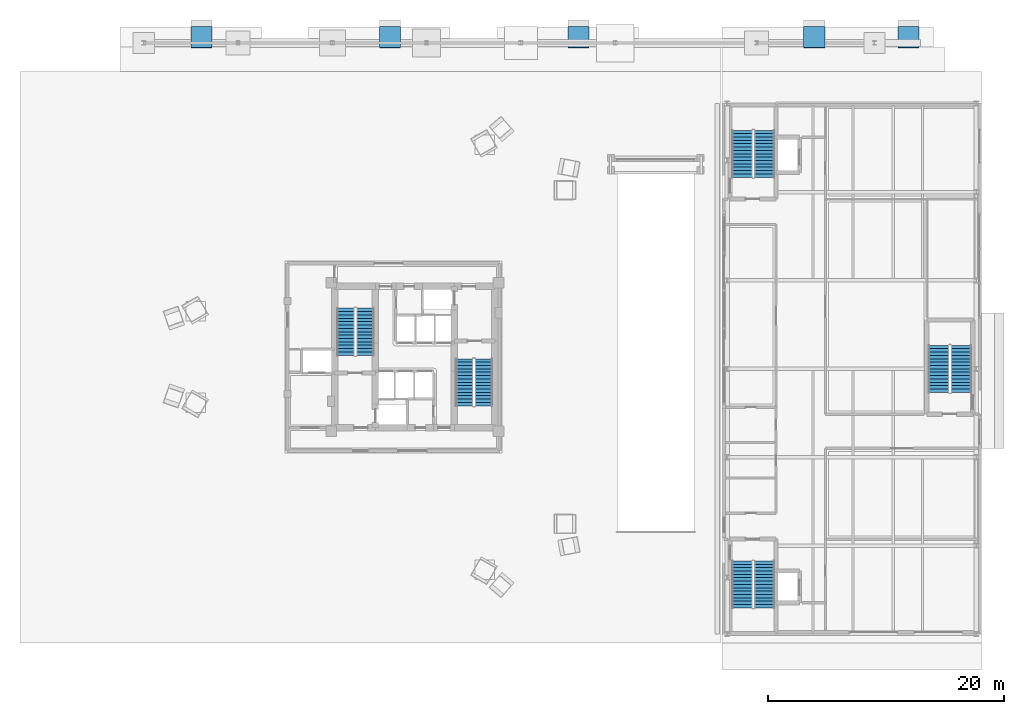
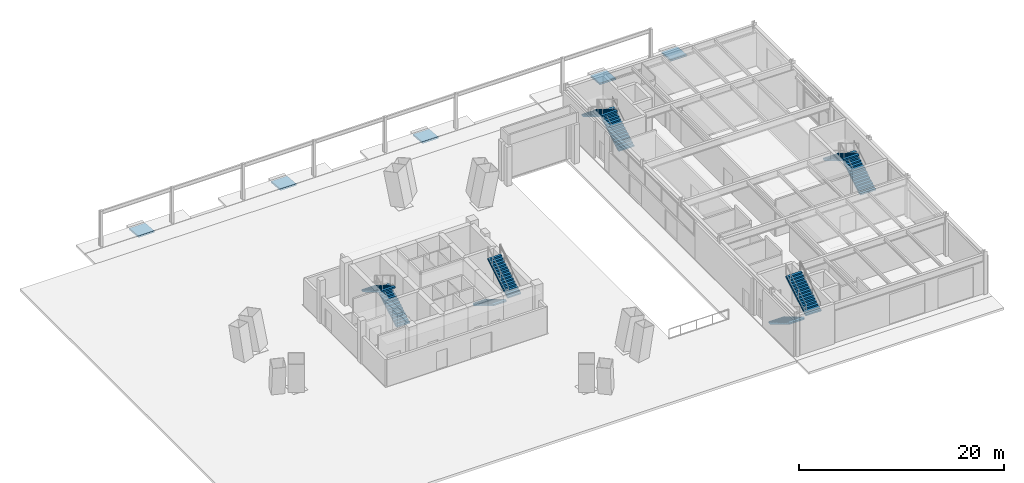
# One storey, part 17 of 21: 10 stair flights, 5 ramp flights, 10 elements without a shape of their own.
"""IFC4 building model written with IfcOpenShell, lengths in metres."""

from ifc_helpers import new_model, si_unit, direction, frame, origin, place, context, subcontext, project, spatial, polyline, outline, extrude, material, layer, layer_set, type_object, element, aggregate, save


model = new_model("IFC4")

# Units and contexts
model_context = context("Model", 3, precision=1e-05, world=origin(), true_north=direction((0.0, 1.0)))
body_context = subcontext(model_context, "Body", "Model", "MODEL_VIEW")
ifc_project = project(units=[si_unit("LENGTHUNIT", "METRE"), si_unit("AREAUNIT", "SQUARE_METRE"), si_unit("VOLUMEUNIT", "CUBIC_METRE"), si_unit("PLANEANGLEUNIT", "RADIAN"), si_unit("MASSUNIT", "GRAM", prefix="KILO")], contexts=[model_context])

# Site, building, storey
site_placement = place(None, origin())
site = spatial("IfcSite", under=ifc_project, at=site_placement, CompositionType="ELEMENT")
building_placement = place(site_placement, origin())
building = spatial("IfcBuilding", under=site, at=building_placement, Name="Mersakhor Tower and Convention Hall", CompositionType="ELEMENT")
storey_placement = place(building_placement, origin())
storey = spatial("IfcBuildingStorey", under=building, at=storey_placement, Name="L00", CompositionType="ELEMENT", Elevation=0.0)

# Stair, stair flights
ifc_material_1 = material(Name="Concrete C45/55", Category="concrete")
stair_type_1 = type_object("IfcStairType", Name="ST-CNV-30R", PredefinedType="HALF_TURN_STAIR", material=ifc_material_1)
stair_1_placement = place(storey_placement, origin())
stair_1 = element("IfcStair", 1, at=stair_1_placement, inside=storey, type_object=stair_type_1, Name="L00 Convention Hall Exit Stair CH-ST1", PredefinedType="HALF_TURN_STAIR")
ifc_material_2 = material(Name="Concrete C45/55", Category="concrete")
stair_flight_type_1 = type_object("IfcStairFlightType", Name="SFL-CNV-30R", PredefinedType="STRAIGHT", material=ifc_material_2)
stair_flight_1_placement = place(storey_placement, frame((56.77490234375, 9.449951171875, 0.0), z_axis=(0.0, 0.0, 1.0), x_axis=(0.0, -1.0, 0.0)))
stair_flight_1 = element("IfcStairFlight", 2, at=stair_flight_1_placement, type_object=stair_flight_type_1, Name="CH-ST1 flight 1", NumberOfRisers=15, NumberOfTreads=14, PredefinedType="STRAIGHT", RiserHeight=0.17, TreadLength=0.285, context=body_context, shape_type="SweptSolid", body=[
    extrude(outline(polyline([(0.0, 0.0), (0.0, 0.169921875), (0.284912109375, 0.169921875), (0.284912109375, 0.340087890625), (0.570068359375, 0.340087890625), (0.570068359375, 0.510009765625), (0.85498046875, 0.510009765625), (0.85498046875, 0.679931640625), (1.139892578125, 0.679931640625), (1.139892578125, 0.85009765625), (1.425048828125, 0.85009765625), (1.425048828125, 1.02001953125), (1.7099609375, 1.02001953125), (1.7099609375, 1.18994140625), (1.9951171875, 1.18994140625), (1.9951171875, 1.360107421875), (2.280029296875, 1.360107421875), (2.280029296875, 1.530029296875), (2.56494140625, 1.530029296875), (2.56494140625, 1.699951171875), (2.85009765625, 1.699951171875), (2.85009765625, 1.8701171875), (3.135009765625, 1.8701171875), (3.135009765625, 2.0400390625), (3.419921875, 2.0400390625), (3.419921875, 2.2099609375), (3.705078125, 2.2099609375), (3.705078125, 2.3798828125), (3.989990234375, 2.3798828125), (3.989990234375, 2.550048828125), (3.989990234375, 2.20556640625), (0.292724609375, 0.0), (0.0, 0.0)])), frame((0.0, 0.875, 0.0), z_axis=(0.0, -1.0, 0.0), x_axis=(1.0, 0.0, 0.0)), (0.0, 0.0, 1.0), 1.75),
])
stair_flight_2_placement = place(storey_placement, frame((58.675048828125, 5.4599609375, 2.550048828125), z_axis=(0.0, 0.0, 1.0), x_axis=(0.0, 1.0, 0.0)))
stair_flight_2 = element("IfcStairFlight", 3, at=stair_flight_2_placement, type_object=stair_flight_type_1, Name="CH-ST1 flight 2", NumberOfRisers=15, NumberOfTreads=14, PredefinedType="STRAIGHT", RiserHeight=0.17, TreadLength=0.285, context=body_context, shape_type="SweptSolid", body=[
    extrude(outline(polyline([(0.0, 0.0), (0.0, 0.169921875), (0.284912109375, 0.169921875), (0.284912109375, 0.340087890625), (0.570068359375, 0.340087890625), (0.570068359375, 0.510009765625), (0.85498046875, 0.510009765625), (0.85498046875, 0.679931640625), (1.139892578125, 0.679931640625), (1.139892578125, 0.85009765625), (1.425048828125, 0.85009765625), (1.425048828125, 1.02001953125), (1.7099609375, 1.02001953125), (1.7099609375, 1.18994140625), (1.9951171875, 1.18994140625), (1.9951171875, 1.360107421875), (2.280029296875, 1.360107421875), (2.280029296875, 1.530029296875), (2.56494140625, 1.530029296875), (2.56494140625, 1.699951171875), (2.85009765625, 1.699951171875), (2.85009765625, 1.8701171875), (3.135009765625, 1.8701171875), (3.135009765625, 2.0400390625), (3.419921875, 2.0400390625), (3.419921875, 2.2099609375), (3.705078125, 2.2099609375), (3.705078125, 2.3798828125), (3.989990234375, 2.3798828125), (3.989990234375, 2.550048828125), (3.989990234375, 2.20556640625), (0.292724609375, 0.0), (0.0, 0.0)])), frame((0.0, 0.875, 0.0), z_axis=(0.0, -1.0, 0.0), x_axis=(1.0, 0.0, 0.0)), (0.0, 0.0, 1.0), 1.75),
])
aggregate(stair_1, [stair_flight_1, stair_flight_2])

stair_2_placement = place(storey_placement, origin())
stair_2 = element("IfcStair", 4, at=stair_2_placement, inside=storey, type_object=stair_type_1, Name="L00 Convention Hall Exit Stair CH-ST2", PredefinedType="HALF_TURN_STAIR")
stair_flight_3_placement = place(storey_placement, frame((58.675048828125, 42.0, 0.0), z_axis=(0.0, 0.0, 1.0), x_axis=(0.0, 1.0, 0.0)))
stair_flight_3 = element("IfcStairFlight", 5, at=stair_flight_3_placement, type_object=stair_flight_type_1, Name="CH-ST2 flight 1", NumberOfRisers=15, NumberOfTreads=14, PredefinedType="STRAIGHT", RiserHeight=0.17, TreadLength=0.285, context=body_context, shape_type="SweptSolid", body=[
    extrude(outline(polyline([(0.0, 0.0), (0.0, 0.169921875), (0.284912109375, 0.169921875), (0.284912109375, 0.340087890625), (0.570068359375, 0.340087890625), (0.570068359375, 0.510009765625), (0.85498046875, 0.510009765625), (0.85498046875, 0.679931640625), (1.139892578125, 0.679931640625), (1.139892578125, 0.85009765625), (1.425048828125, 0.85009765625), (1.425048828125, 1.02001953125), (1.7099609375, 1.02001953125), (1.7099609375, 1.18994140625), (1.9951171875, 1.18994140625), (1.9951171875, 1.360107421875), (2.280029296875, 1.360107421875), (2.280029296875, 1.530029296875), (2.56494140625, 1.530029296875), (2.56494140625, 1.699951171875), (2.85009765625, 1.699951171875), (2.85009765625, 1.8701171875), (3.135009765625, 1.8701171875), (3.135009765625, 2.0400390625), (3.419921875, 2.0400390625), (3.419921875, 2.2099609375), (3.705078125, 2.2099609375), (3.705078125, 2.3798828125), (3.989990234375, 2.3798828125), (3.989990234375, 2.550048828125), (3.989990234375, 2.20556640625), (0.292724609375, 0.0), (0.0, 0.0)])), frame((0.0, 0.875, 0.0), z_axis=(0.0, -1.0, 0.0), x_axis=(1.0, 0.0, 0.0)), (0.0, 0.0, 1.0), 1.75),
])
stair_flight_4_placement = place(storey_placement, frame((56.77490234375, 45.989990234375, 2.550048828125), z_axis=(0.0, 0.0, 1.0), x_axis=(0.0, -1.0, 0.0)))
stair_flight_4 = element("IfcStairFlight", 6, at=stair_flight_4_placement, type_object=stair_flight_type_1, Name="CH-ST2 flight 2", NumberOfRisers=15, NumberOfTreads=14, PredefinedType="STRAIGHT", RiserHeight=0.17, TreadLength=0.285, context=body_context, shape_type="SweptSolid", body=[
    extrude(outline(polyline([(0.0, 0.0), (0.0, 0.169921875), (0.284912109375, 0.169921875), (0.284912109375, 0.340087890625), (0.570068359375, 0.340087890625), (0.570068359375, 0.510009765625), (0.85498046875, 0.510009765625), (0.85498046875, 0.679931640625), (1.139892578125, 0.679931640625), (1.139892578125, 0.85009765625), (1.425048828125, 0.85009765625), (1.425048828125, 1.02001953125), (1.7099609375, 1.02001953125), (1.7099609375, 1.18994140625), (1.9951171875, 1.18994140625), (1.9951171875, 1.360107421875), (2.280029296875, 1.360107421875), (2.280029296875, 1.530029296875), (2.56494140625, 1.530029296875), (2.56494140625, 1.699951171875), (2.85009765625, 1.699951171875), (2.85009765625, 1.8701171875), (3.135009765625, 1.8701171875), (3.135009765625, 2.0400390625), (3.419921875, 2.0400390625), (3.419921875, 2.2099609375), (3.705078125, 2.2099609375), (3.705078125, 2.3798828125), (3.989990234375, 2.3798828125), (3.989990234375, 2.550048828125), (3.989990234375, 2.20556640625), (0.292724609375, 0.0), (0.0, 0.0)])), frame((0.0, 0.875, 0.0), z_axis=(0.0, -1.0, 0.0), x_axis=(1.0, 0.0, 0.0)), (0.0, 0.0, 1.0), 1.75),
])
aggregate(stair_2, [stair_flight_3, stair_flight_4])

stair_3_placement = place(storey_placement, origin())
stair_3 = element("IfcStair", 7, at=stair_3_placement, inside=storey, type_object=stair_type_1, Name="L00 Convention Hall Exit Stair CH-ST3", PredefinedType="HALF_TURN_STAIR")
stair_flight_5_placement = place(storey_placement, frame((75.375, 23.75, 0.0), z_axis=(0.0, 0.0, 1.0), x_axis=(0.0, 1.0, 0.0)))
stair_flight_5 = element("IfcStairFlight", 8, at=stair_flight_5_placement, type_object=stair_flight_type_1, Name="CH-ST3 flight 1", NumberOfRisers=15, NumberOfTreads=14, PredefinedType="STRAIGHT", RiserHeight=0.17, TreadLength=0.285, context=body_context, shape_type="SweptSolid", body=[
    extrude(outline(polyline([(0.0, 0.0), (0.0, 0.169921875), (0.284912109375, 0.169921875), (0.284912109375, 0.340087890625), (0.570068359375, 0.340087890625), (0.570068359375, 0.510009765625), (0.85498046875, 0.510009765625), (0.85498046875, 0.679931640625), (1.139892578125, 0.679931640625), (1.139892578125, 0.85009765625), (1.425048828125, 0.85009765625), (1.425048828125, 1.02001953125), (1.7099609375, 1.02001953125), (1.7099609375, 1.18994140625), (1.9951171875, 1.18994140625), (1.9951171875, 1.360107421875), (2.280029296875, 1.360107421875), (2.280029296875, 1.530029296875), (2.56494140625, 1.530029296875), (2.56494140625, 1.699951171875), (2.85009765625, 1.699951171875), (2.85009765625, 1.8701171875), (3.135009765625, 1.8701171875), (3.135009765625, 2.0400390625), (3.419921875, 2.0400390625), (3.419921875, 2.2099609375), (3.705078125, 2.2099609375), (3.705078125, 2.3798828125), (3.989990234375, 2.3798828125), (3.989990234375, 2.550048828125), (3.989990234375, 2.20556640625), (0.292724609375, 0.0), (0.0, 0.0)])), frame((0.0, 0.875, 0.0), z_axis=(0.0, -1.0, 0.0), x_axis=(1.0, 0.0, 0.0)), (0.0, 0.0, 1.0), 1.75),
])
stair_flight_6_placement = place(storey_placement, frame((73.47509765625, 27.739990234375, 2.550048828125), z_axis=(0.0, 0.0, 1.0), x_axis=(0.0, -1.0, 0.0)))
stair_flight_6 = element("IfcStairFlight", 9, at=stair_flight_6_placement, type_object=stair_flight_type_1, Name="CH-ST3 flight 2", NumberOfRisers=15, NumberOfTreads=14, PredefinedType="STRAIGHT", RiserHeight=0.17, TreadLength=0.285, context=body_context, shape_type="SweptSolid", body=[
    extrude(outline(polyline([(0.0, 0.0), (0.0, 0.169921875), (0.284912109375, 0.169921875), (0.284912109375, 0.340087890625), (0.570068359375, 0.340087890625), (0.570068359375, 0.510009765625), (0.85498046875, 0.510009765625), (0.85498046875, 0.679931640625), (1.139892578125, 0.679931640625), (1.139892578125, 0.85009765625), (1.425048828125, 0.85009765625), (1.425048828125, 1.02001953125), (1.7099609375, 1.02001953125), (1.7099609375, 1.18994140625), (1.9951171875, 1.18994140625), (1.9951171875, 1.360107421875), (2.280029296875, 1.360107421875), (2.280029296875, 1.530029296875), (2.56494140625, 1.530029296875), (2.56494140625, 1.699951171875), (2.85009765625, 1.699951171875), (2.85009765625, 1.8701171875), (3.135009765625, 1.8701171875), (3.135009765625, 2.0400390625), (3.419921875, 2.0400390625), (3.419921875, 2.2099609375), (3.705078125, 2.2099609375), (3.705078125, 2.3798828125), (3.989990234375, 2.3798828125), (3.989990234375, 2.550048828125), (3.989990234375, 2.20556640625), (0.292724609375, 0.0), (0.0, 0.0)])), frame((0.0, 0.875, 0.0), z_axis=(0.0, -1.0, 0.0), x_axis=(1.0, 0.0, 0.0)), (0.0, 0.0, 1.0), 1.75),
])
aggregate(stair_3, [stair_flight_5, stair_flight_6])

ifc_material_3 = material(Name="Concrete C45/55", Category="concrete")
stair_type_2 = type_object("IfcStairType", Name="ST-TWR-30R", PredefinedType="HALF_TURN_STAIR", material=ifc_material_3)
stair_4_placement = place(storey_placement, origin())
stair_4 = element("IfcStair", 10, at=stair_4_placement, inside=storey, type_object=stair_type_2, Name="L00 Tower Protected Exit Stair ST-1", PredefinedType="HALF_TURN_STAIR")
ifc_material_4 = material(Name="Concrete C45/55", Category="concrete")
stair_flight_type_2 = type_object("IfcStairFlightType", Name="SFL-TWR-30R", PredefinedType="STRAIGHT", material=ifc_material_4)
stair_flight_7_placement = place(storey_placement, frame((24.800048828125, 26.89990234375, 0.0), z_axis=(0.0, 0.0, 1.0), x_axis=(0.0, 1.0, 0.0)))
stair_flight_7 = element("IfcStairFlight", 11, at=stair_flight_7_placement, type_object=stair_flight_type_2, Name="ST-1 flight 1", NumberOfRisers=15, NumberOfTreads=14, PredefinedType="STRAIGHT", RiserHeight=0.17, TreadLength=0.285, context=body_context, shape_type="SweptSolid", body=[
    extrude(outline(polyline([(0.0, 0.0), (0.0, 0.169921875), (0.284912109375, 0.169921875), (0.284912109375, 0.340087890625), (0.570068359375, 0.340087890625), (0.570068359375, 0.510009765625), (0.85498046875, 0.510009765625), (0.85498046875, 0.679931640625), (1.139892578125, 0.679931640625), (1.139892578125, 0.85009765625), (1.425048828125, 0.85009765625), (1.425048828125, 1.02001953125), (1.7099609375, 1.02001953125), (1.7099609375, 1.18994140625), (1.9951171875, 1.18994140625), (1.9951171875, 1.360107421875), (2.280029296875, 1.360107421875), (2.280029296875, 1.530029296875), (2.56494140625, 1.530029296875), (2.56494140625, 1.699951171875), (2.85009765625, 1.699951171875), (2.85009765625, 1.8701171875), (3.135009765625, 1.8701171875), (3.135009765625, 2.0400390625), (3.419921875, 2.0400390625), (3.419921875, 2.2099609375), (3.705078125, 2.2099609375), (3.705078125, 2.3798828125), (3.989990234375, 2.3798828125), (3.989990234375, 2.550048828125), (3.989990234375, 2.20556640625), (0.292724609375, 0.0), (0.0, 0.0)])), frame((0.0, 0.75, 0.0), z_axis=(0.0, -1.0, 0.0), x_axis=(1.0, 0.0, 0.0)), (0.0, 0.0, 1.0), 1.5),
])
stair_flight_8_placement = place(storey_placement, frame((23.14990234375, 30.889892578125, 2.550048828125), z_axis=(0.0, 0.0, 1.0), x_axis=(0.0, -1.0, 0.0)))
stair_flight_8 = element("IfcStairFlight", 12, at=stair_flight_8_placement, type_object=stair_flight_type_2, Name="ST-1 flight 2", NumberOfRisers=15, NumberOfTreads=14, PredefinedType="STRAIGHT", RiserHeight=0.17, TreadLength=0.285, context=body_context, shape_type="SweptSolid", body=[
    extrude(outline(polyline([(0.0, 0.0), (0.0, 0.169921875), (0.284912109375, 0.169921875), (0.284912109375, 0.340087890625), (0.570068359375, 0.340087890625), (0.570068359375, 0.510009765625), (0.85498046875, 0.510009765625), (0.85498046875, 0.679931640625), (1.139892578125, 0.679931640625), (1.139892578125, 0.85009765625), (1.425048828125, 0.85009765625), (1.425048828125, 1.02001953125), (1.7099609375, 1.02001953125), (1.7099609375, 1.18994140625), (1.9951171875, 1.18994140625), (1.9951171875, 1.360107421875), (2.280029296875, 1.360107421875), (2.280029296875, 1.530029296875), (2.56494140625, 1.530029296875), (2.56494140625, 1.699951171875), (2.85009765625, 1.699951171875), (2.85009765625, 1.8701171875), (3.135009765625, 1.8701171875), (3.135009765625, 2.0400390625), (3.419921875, 2.0400390625), (3.419921875, 2.2099609375), (3.705078125, 2.2099609375), (3.705078125, 2.3798828125), (3.989990234375, 2.3798828125), (3.989990234375, 2.550048828125), (3.989990234375, 2.20556640625), (0.292724609375, 0.0), (0.0, 0.0)])), frame((0.0, 0.75, 0.0), z_axis=(0.0, -1.0, 0.0), x_axis=(1.0, 0.0, 0.0)), (0.0, 0.0, 1.0), 1.5),
])
aggregate(stair_4, [stair_flight_7, stair_flight_8])

stair_5_placement = place(storey_placement, origin())
stair_5 = element("IfcStair", 13, at=stair_5_placement, inside=storey, type_object=stair_type_2, Name="L00 Tower Protected Exit Stair ST-2", PredefinedType="HALF_TURN_STAIR")
stair_flight_9_placement = place(storey_placement, frame((33.199951171875, 26.60009765625, 0.0), z_axis=(0.0, 0.0, 1.0), x_axis=(0.0, -1.0, 0.0)))
stair_flight_9 = element("IfcStairFlight", 14, at=stair_flight_9_placement, type_object=stair_flight_type_2, Name="ST-2 flight 1", NumberOfRisers=15, NumberOfTreads=14, PredefinedType="STRAIGHT", RiserHeight=0.17, TreadLength=0.285, context=body_context, shape_type="SweptSolid", body=[
    extrude(outline(polyline([(0.0, 0.0), (0.0, 0.169921875), (0.284912109375, 0.169921875), (0.284912109375, 0.340087890625), (0.570068359375, 0.340087890625), (0.570068359375, 0.510009765625), (0.85498046875, 0.510009765625), (0.85498046875, 0.679931640625), (1.139892578125, 0.679931640625), (1.139892578125, 0.85009765625), (1.425048828125, 0.85009765625), (1.425048828125, 1.02001953125), (1.7099609375, 1.02001953125), (1.7099609375, 1.18994140625), (1.9951171875, 1.18994140625), (1.9951171875, 1.360107421875), (2.280029296875, 1.360107421875), (2.280029296875, 1.530029296875), (2.56494140625, 1.530029296875), (2.56494140625, 1.699951171875), (2.85009765625, 1.699951171875), (2.85009765625, 1.8701171875), (3.135009765625, 1.8701171875), (3.135009765625, 2.0400390625), (3.419921875, 2.0400390625), (3.419921875, 2.2099609375), (3.705078125, 2.2099609375), (3.705078125, 2.3798828125), (3.989990234375, 2.3798828125), (3.989990234375, 2.550048828125), (3.989990234375, 2.20556640625), (0.292724609375, 0.0), (0.0, 0.0)])), frame((0.0, 0.75, 0.0), z_axis=(0.0, -1.0, 0.0), x_axis=(1.0, 0.0, 0.0)), (0.0, 0.0, 1.0), 1.5),
])
stair_flight_10_placement = place(storey_placement, frame((34.85009765625, 22.610107421875, 2.550048828125), z_axis=(0.0, 0.0, 1.0), x_axis=(0.0, 1.0, 0.0)))
stair_flight_10 = element("IfcStairFlight", 15, at=stair_flight_10_placement, type_object=stair_flight_type_2, Name="ST-2 flight 2", NumberOfRisers=15, NumberOfTreads=14, PredefinedType="STRAIGHT", RiserHeight=0.17, TreadLength=0.285, context=body_context, shape_type="SweptSolid", body=[
    extrude(outline(polyline([(0.0, 0.0), (0.0, 0.169921875), (0.284912109375, 0.169921875), (0.284912109375, 0.340087890625), (0.570068359375, 0.340087890625), (0.570068359375, 0.510009765625), (0.85498046875, 0.510009765625), (0.85498046875, 0.679931640625), (1.139892578125, 0.679931640625), (1.139892578125, 0.85009765625), (1.425048828125, 0.85009765625), (1.425048828125, 1.02001953125), (1.7099609375, 1.02001953125), (1.7099609375, 1.18994140625), (1.9951171875, 1.18994140625), (1.9951171875, 1.360107421875), (2.280029296875, 1.360107421875), (2.280029296875, 1.530029296875), (2.56494140625, 1.530029296875), (2.56494140625, 1.699951171875), (2.85009765625, 1.699951171875), (2.85009765625, 1.8701171875), (3.135009765625, 1.8701171875), (3.135009765625, 2.0400390625), (3.419921875, 2.0400390625), (3.419921875, 2.2099609375), (3.705078125, 2.2099609375), (3.705078125, 2.3798828125), (3.989990234375, 2.3798828125), (3.989990234375, 2.550048828125), (3.989990234375, 2.20556640625), (0.292724609375, 0.0), (0.0, 0.0)])), frame((0.0, 0.75, 0.0), z_axis=(0.0, -1.0, 0.0), x_axis=(1.0, 0.0, 0.0)), (0.0, 0.0, 1.0), 1.5),
])
aggregate(stair_5, [stair_flight_9, stair_flight_10])

# Ramp, ramp flight
ifc_material_5 = material(Name="Concrete C40/50", Category="concrete")
ramp_type = type_object("IfcRampType", Name="RMP-PED-1800", PredefinedType="STRAIGHT_RUN_RAMP", material=ifc_material_5)
ramp_1_placement = place(storey_placement, origin())
ramp_1 = element("IfcRamp", 16, at=ramp_1_placement, inside=storey, type_object=ramp_type, Name="Accessible Plaza Entrance Ramp PR-1", PredefinedType="STRAIGHT_RUN_RAMP")
ifc_material_6 = material(Name="Concrete C40/50", Category="concrete")
ifc_layer = layer(ifc_material_6, 0.199951171875)
ifc_layer_set = layer_set([ifc_layer], Name="Concrete C40/50")
ramp_flight_type = type_object("IfcRampFlightType", Name="RMF-PED-200", PredefinedType="STRAIGHT", material=ifc_layer_set)
ramp_flight_1_placement = place(storey_placement, frame((10.0, 54.800048828125, -0.14990234375), z_axis=(0.0, 0.082989550564, 0.996550417439), x_axis=(1.0, 0.0, 0.0)))
ramp_flight_1 = element("IfcRampFlight", 17, at=ramp_flight_1_placement, type_object=ramp_flight_type, Name="Accessible Plaza Ramp Flight PRF-1", PredefinedType="STRAIGHT", context=body_context, shape_type="SweptSolid", body=[
    extrude(outline(polyline([(0.0, 0.0), (1.800048828125, 0.0), (1.800048828125, -1.8062797392142582), (0.0, -1.8062797392142582), (0.0, 0.0)])), origin(), (0.0, 0.0, -1.0), 0.199951171875),
])
aggregate(ramp_1, [ramp_flight_1])

ramp_2_placement = place(storey_placement, origin())
ramp_2 = element("IfcRamp", 18, at=ramp_2_placement, inside=storey, type_object=ramp_type, Name="Accessible Plaza Entrance Ramp PR-2", PredefinedType="STRAIGHT_RUN_RAMP")
ramp_flight_2_placement = place(storey_placement, frame((26.0, 54.800048828125, -0.14990234375), z_axis=(0.0, 0.082989550564, 0.996550417439), x_axis=(1.0, 0.0, 0.0)))
ramp_flight_2 = element("IfcRampFlight", 19, at=ramp_flight_2_placement, type_object=ramp_flight_type, Name="Accessible Plaza Ramp Flight PRF-2", PredefinedType="STRAIGHT", context=body_context, shape_type="SweptSolid", body=[
    extrude(outline(polyline([(0.0, 0.0), (1.800048828125, 0.0), (1.800048828125, -1.8062797392142582), (0.0, -1.8062797392142582), (0.0, 0.0)])), origin(), (0.0, 0.0, -1.0), 0.199951171875),
])
aggregate(ramp_2, [ramp_flight_2])

ramp_3_placement = place(storey_placement, origin())
ramp_3 = element("IfcRamp", 20, at=ramp_3_placement, inside=storey, type_object=ramp_type, Name="Accessible Plaza Entrance Ramp PR-3", PredefinedType="STRAIGHT_RUN_RAMP")
ramp_flight_3_placement = place(storey_placement, frame((42.0, 54.800048828125, -0.14990234375), z_axis=(0.0, 0.082989550564, 0.996550417439), x_axis=(1.0, 0.0, 0.0)))
ramp_flight_3 = element("IfcRampFlight", 21, at=ramp_flight_3_placement, type_object=ramp_flight_type, Name="Accessible Plaza Ramp Flight PRF-3", PredefinedType="STRAIGHT", context=body_context, shape_type="SweptSolid", body=[
    extrude(outline(polyline([(0.0, 0.0), (1.800048828125, 0.0), (1.800048828125, -1.8062797392142582), (0.0, -1.8062797392142582), (0.0, 0.0)])), origin(), (0.0, 0.0, -1.0), 0.199951171875),
])
aggregate(ramp_3, [ramp_flight_3])

ramp_4_placement = place(storey_placement, origin())
ramp_4 = element("IfcRamp", 22, at=ramp_4_placement, inside=storey, type_object=ramp_type, Name="Accessible Plaza Entrance Ramp PR-4", PredefinedType="STRAIGHT_RUN_RAMP")
ramp_flight_4_placement = place(storey_placement, frame((62.0, 54.800048828125, -0.14990234375), z_axis=(0.0, 0.082989550564, 0.996550417439), x_axis=(1.0, 0.0, 0.0)))
ramp_flight_4 = element("IfcRampFlight", 23, at=ramp_flight_4_placement, type_object=ramp_flight_type, Name="Accessible Plaza Ramp Flight PRF-4", PredefinedType="STRAIGHT", context=body_context, shape_type="SweptSolid", body=[
    extrude(outline(polyline([(0.0, 0.0), (1.800048828125, 0.0), (1.800048828125, -1.8062797392142582), (0.0, -1.8062797392142582), (0.0, 0.0)])), origin(), (0.0, 0.0, -1.0), 0.199951171875),
])
aggregate(ramp_4, [ramp_flight_4])

ramp_5_placement = place(storey_placement, origin())
ramp_5 = element("IfcRamp", 24, at=ramp_5_placement, inside=storey, type_object=ramp_type, Name="Accessible Plaza Entrance Ramp PR-5", PredefinedType="STRAIGHT_RUN_RAMP")
ramp_flight_5_placement = place(storey_placement, frame((70.0, 54.800048828125, -0.14990234375), z_axis=(0.0, 0.082989550564, 0.996550417439), x_axis=(1.0, 0.0, 0.0)))
ramp_flight_5 = element("IfcRampFlight", 25, at=ramp_flight_5_placement, type_object=ramp_flight_type, Name="Accessible Plaza Ramp Flight PRF-5", PredefinedType="STRAIGHT", context=body_context, shape_type="SweptSolid", body=[
    extrude(outline(polyline([(0.0, 0.0), (1.800048828125, 0.0), (1.800048828125, -1.8062797392142582), (0.0, -1.8062797392142582), (0.0, 0.0)])), origin(), (0.0, 0.0, -1.0), 0.199951171875),
])
aggregate(ramp_5, [ramp_flight_5])

save(model, "model.ifc")
